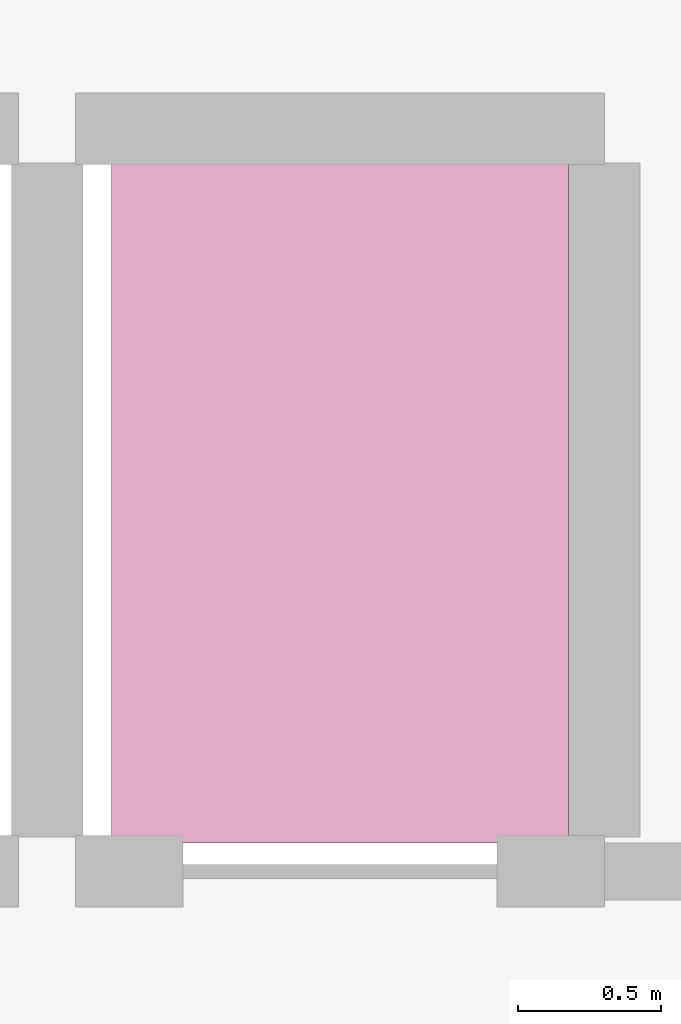
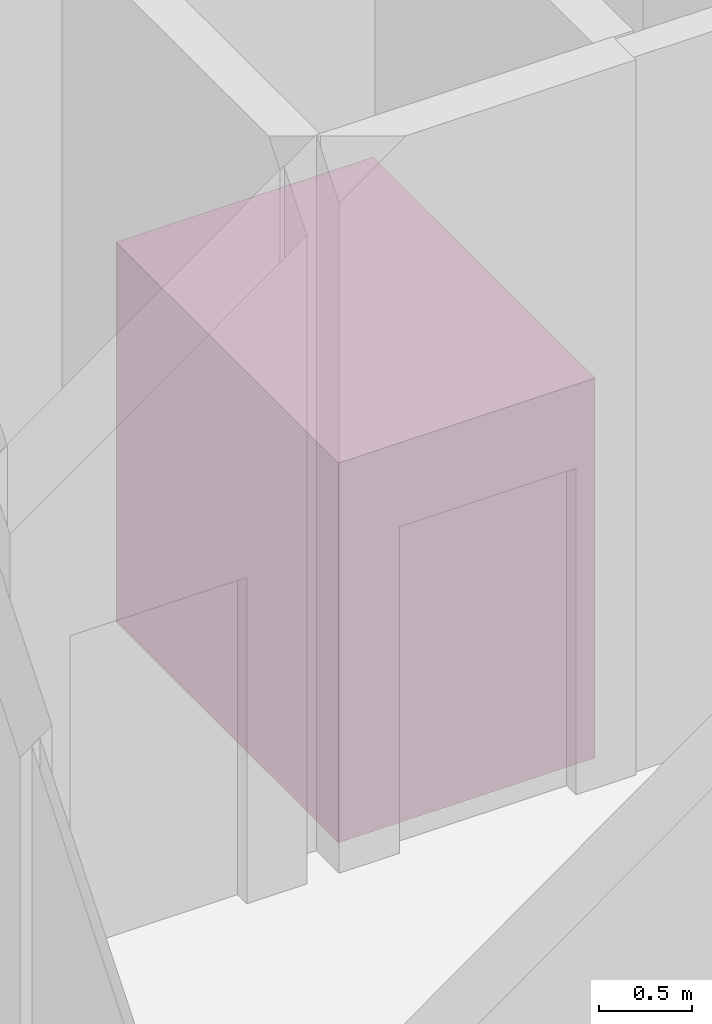
# One storey, part 13 of 13: 1 transport element.
"""IFC4 building model written with IfcOpenShell, lengths in metres."""

import ifcopenshell
import ifcopenshell.guid

model = None  # the IFC model being written
_history = None  # IfcOwnerHistory: only IFC2X3 demands one
_inside = {}  # id of a spatial element -> (the spatial element, [elements in it])
_under = {}  # id of a project, library or spatial element -> (it, [spatial elements below it])
_declared = {}  # id of a project -> (the project, [libraries it declares])
_typed = {}  # id of a type object -> (the type object, [elements of that type])
_made_of = {}  # id of a material, layer set ... -> (it, [elements and type objects made of it])


def new_model(schema):
    """Start an empty IFC model of exactly this schema.

    Asked for "IFC4X3", IfcOpenShell would pick the latest addendum, in which some entities
    have other attributes; the version numbers below select the first issue.
    IFC2X3 requires an IfcOwnerHistory on every rooted entity: one is made here for all.
    """
    global model, _history
    if schema == "IFC4X3":
        model = ifcopenshell.file(schema_version=(4, 3, 0, 0))
    else:
        model = ifcopenshell.file(schema=schema)
    _inside.clear()
    _under.clear()
    _declared.clear()
    _typed.clear()
    _made_of.clear()
    _history = None
    if model.schema == "IFC2X3":
        org = make("IfcOrganization", Name="unknown")
        user = make(
            "IfcPersonAndOrganization",
            ThePerson=make("IfcPerson", FamilyName="unknown"),
            TheOrganization=org,
        )
        app = make(
            "IfcApplication",
            ApplicationDeveloper=org,
            Version="unknown",
            ApplicationFullName="unknown",
            ApplicationIdentifier="unknown",
        )
        _history = make(
            "IfcOwnerHistory",
            OwningUser=user,
            OwningApplication=app,
            ChangeAction="ADDED",
            CreationDate=0,
        )
    return model


def make(cls, **values):
    """One entity of the class cls with the attributes given. An attribute that is None is left unset."""
    return model.create_entity(
        cls, **{name: value for name, value in values.items() if value is not None}
    )


def rooted(cls, **values):
    """An entity with a GlobalId (a new one), such as an element, a storey or a relation."""
    return make(cls, GlobalId=ifcopenshell.guid.new(), OwnerHistory=_history, **values)


def si_unit(unit_type, name, prefix=None):
    """IfcSIUnit, for example si_unit("LENGTHUNIT", "METRE", prefix="MILLI")."""
    return make("IfcSIUnit", UnitType=unit_type, Prefix=prefix, Name=name)


def assignment(units):
    """IfcUnitAssignment: the units of a project."""
    return None if units is None else make("IfcUnitAssignment", Units=units)


def point(xyz):
    """IfcCartesianPoint."""
    return None if xyz is None else make("IfcCartesianPoint", Coordinates=xyz)


def direction(xyz):
    """IfcDirection."""
    return None if xyz is None else make("IfcDirection", DirectionRatios=xyz)


def frame(location, z_axis=None, x_axis=None):
    """IfcAxis2Placement3D, a coordinate frame: its origin and axes. An axis left out is left unset."""
    return make(
        "IfcAxis2Placement3D",
        Location=point(location),
        Axis=direction(z_axis),
        RefDirection=direction(x_axis),
    )


def frame_2d(location, x_axis=None):
    """IfcAxis2Placement2D, a coordinate frame in the plane: its origin and x axis."""
    return make(
        "IfcAxis2Placement2D", Location=point(location), RefDirection=direction(x_axis)
    )


def origin():
    """The frame at (0, 0, 0) with its axes left unset."""
    return frame((0.0, 0.0, 0.0))


def origin_2d():
    """The frame at (0, 0) in the plane with its x axis left unset."""
    return frame_2d((0.0, 0.0))


def place(relative_to, where):
    """IfcLocalPlacement: puts the frame where relative to a parent placement (None: the world)."""
    return make(
        "IfcLocalPlacement", PlacementRelTo=relative_to, RelativePlacement=where
    )


def context(
    kind, dimensions, precision=None, world=None, true_north=None, identifier=None
):
    """IfcGeometricRepresentationContext, for example the 3D "Model" context."""
    return make(
        "IfcGeometricRepresentationContext",
        ContextIdentifier=identifier,
        ContextType=kind,
        CoordinateSpaceDimension=dimensions,
        Precision=precision,
        WorldCoordinateSystem=world,
        TrueNorth=true_north,
    )


def subcontext(parent, identifier, kind, view, scale=None):
    """IfcGeometricRepresentationSubContext, for example "Body" below "Model"."""
    return make(
        "IfcGeometricRepresentationSubContext",
        ContextIdentifier=identifier,
        ContextType=kind,
        ParentContext=parent,
        TargetScale=scale,
        TargetView=view,
    )


def project(units=None, contexts=None):
    """IfcProject with its units and contexts."""
    return rooted(
        "IfcProject",
        Name="project",
        RepresentationContexts=contexts,
        UnitsInContext=assignment(units),
    )


def spatial(cls, under=None, at=None, **own):
    """A site, building, storey or space (cls), placed at a placement, below another one or the project."""
    s = rooted(cls, ObjectPlacement=at, **own)
    if under is not None:
        _under.setdefault(under.id(), (under, []))[1].append(s)
    return s


def profile(cls, at=None, kind="AREA", **sizes):
    """A parametric profile (cls). Its sizes go by their IFC names, for example OverallWidth=200.0."""
    return make(cls, ProfileType=kind, Position=at, **sizes)


def rectangle(**sizes):
    """IfcRectangleProfileDef."""
    return profile("IfcRectangleProfileDef", **sizes)


def extrude(swept, where, along, depth):
    """IfcExtrudedAreaSolid: the profile swept, set in the frame where, extruded along a direction by depth."""
    return make(
        "IfcExtrudedAreaSolid",
        SweptArea=swept,
        Position=where,
        ExtrudedDirection=direction(along),
        Depth=depth,
    )


def shape(context_of_items, identifier, shape_type, items):
    """IfcShapeRepresentation: the items that make up one representation, for example the "Body"."""
    return make(
        "IfcShapeRepresentation",
        ContextOfItems=context_of_items,
        RepresentationIdentifier=identifier,
        RepresentationType=shape_type,
        Items=items,
    )


def material(Name=None, Category=None):
    """IfcMaterial."""
    return make("IfcMaterial", Name=Name, Category=Category)


def made_of(thing, what):
    """Note that an element or type object is made of a material, layer set ...; save() writes the relation."""
    if what is not None:
        _made_of.setdefault(what.id(), (what, []))[1].append(thing)
    return thing


def type_object(cls, material=None, **own):
    """A type object (cls), such as IfcWallType, which elements share."""
    return made_of(rooted(cls, **own), material)


def element(
    cls,
    number,
    at=None,
    inside=None,
    cuts=None,
    type_object=None,
    material=None,
    context=None,
    identifier="Body",
    shape_type=None,
    held_by="IfcProductDefinitionShape",
    body=None,
    shapes=None,
    **own,
):
    """One element of the class cls, such as IfcWall. Its Tag is "e" and its number.

    at: its placement. inside: the storey or other place that contains it. cuts: it is an
    opening in that element (IfcRelVoidsElement). A single representation is given by context,
    identifier, shape_type and body (its items); several are given by shapes. held_by: the class
    of the entity that holds the representations. save() writes the other relations.
    """
    e = rooted(cls, Tag="e%d" % number, ObjectPlacement=at, **own)
    if body is not None:
        shapes = [shape(context, identifier, shape_type, body)]
    if shapes is not None:
        e.Representation = make(held_by, Representations=shapes)
    if inside is not None:
        _inside.setdefault(inside.id(), (inside, []))[1].append(e)
    if cuts is not None:
        rooted(
            "IfcRelVoidsElement", RelatingBuildingElement=cuts, RelatedOpeningElement=e
        )
    if type_object is not None:
        _typed.setdefault(type_object.id(), (type_object, []))[1].append(e)
    return made_of(e, material)


def aggregate(whole, parts):
    """IfcRelAggregates: a whole, such as a stair, and the parts it consists of."""
    return rooted("IfcRelAggregates", RelatingObject=whole, RelatedObjects=parts)


def save(model, path):
    """Write the relations noted so far, then the file.

    IfcRelAggregates (storeys below a building ...), IfcRelContainedInSpatialStructure (elements
    in a storey), IfcRelDefinesByType, IfcRelAssociatesMaterial and IfcRelDeclares: one each for
    every whole, place, type object, material and project.
    """
    for whole, parts in _under.values():
        aggregate(whole, parts)
    for where, things in _inside.values():
        rooted(
            "IfcRelContainedInSpatialStructure",
            RelatedElements=things,
            RelatingStructure=where,
        )
    for kind, things in _typed.values():
        rooted("IfcRelDefinesByType", RelatedObjects=things, RelatingType=kind)
    for what, things in _made_of.values():
        rooted("IfcRelAssociatesMaterial", RelatedObjects=things, RelatingMaterial=what)
    for by, libraries in _declared.values():
        rooted("IfcRelDeclares", RelatingContext=by, RelatedDefinitions=libraries)
    model.write(path)


model = new_model("IFC4")

# Units and contexts
model_context = context("Model", 3, precision=1e-05, world=origin(), true_north=direction((0.0, 1.0)))
body_context = subcontext(model_context, "Body", "Model", "MODEL_VIEW")
ifc_project = project(units=[si_unit("LENGTHUNIT", "METRE"), si_unit("AREAUNIT", "SQUARE_METRE"), si_unit("VOLUMEUNIT", "CUBIC_METRE"), si_unit("PLANEANGLEUNIT", "RADIAN"), si_unit("MASSUNIT", "GRAM", prefix="KILO")], contexts=[model_context])

# Site, building, storey
site_placement = place(None, origin())
site = spatial("IfcSite", under=ifc_project, at=site_placement, CompositionType="ELEMENT")
building_placement = place(site_placement, origin())
building = spatial("IfcBuilding", under=site, at=building_placement, Name="Zulverin Broadcast Headquarters", CompositionType="ELEMENT")
storey_placement = place(building_placement, frame((0.0, 0.0, 220.0)))
storey = spatial("IfcBuildingStorey", under=building, at=storey_placement, Name="L56", CompositionType="ELEMENT", Elevation=220.0)

# Transport element
ifc_material = material(Name="Fire-rated stainless steel stretcher/firefighting lift car", Category="steel")
transport_element_type = type_object("IfcTransportElementType", Name="LFT-FIRE-1600", PredefinedType="ELEVATOR", material=ifc_material)
transport_element_placement = place(storey_placement, frame((45.175048828125, 26.64990234375, 0.02001953125), z_axis=(0.0, 0.0, 1.0), x_axis=(1.0, 0.0, 0.0)))
element("IfcTransportElement", 1, at=transport_element_placement, inside=storey, type_object=transport_element_type, Name="Elevator Car FFL-2 (1600 kg, B2-C6)", PredefinedType="ELEVATOR", context=body_context, shape_type="SweptSolid", body=[
    extrude(rectangle(XDim=1.60009765625, YDim=2.39990234375, at=origin_2d()), origin(), (0.0, 0.0, 1.0), 2.5),
])

save(model, "model.ifc")
